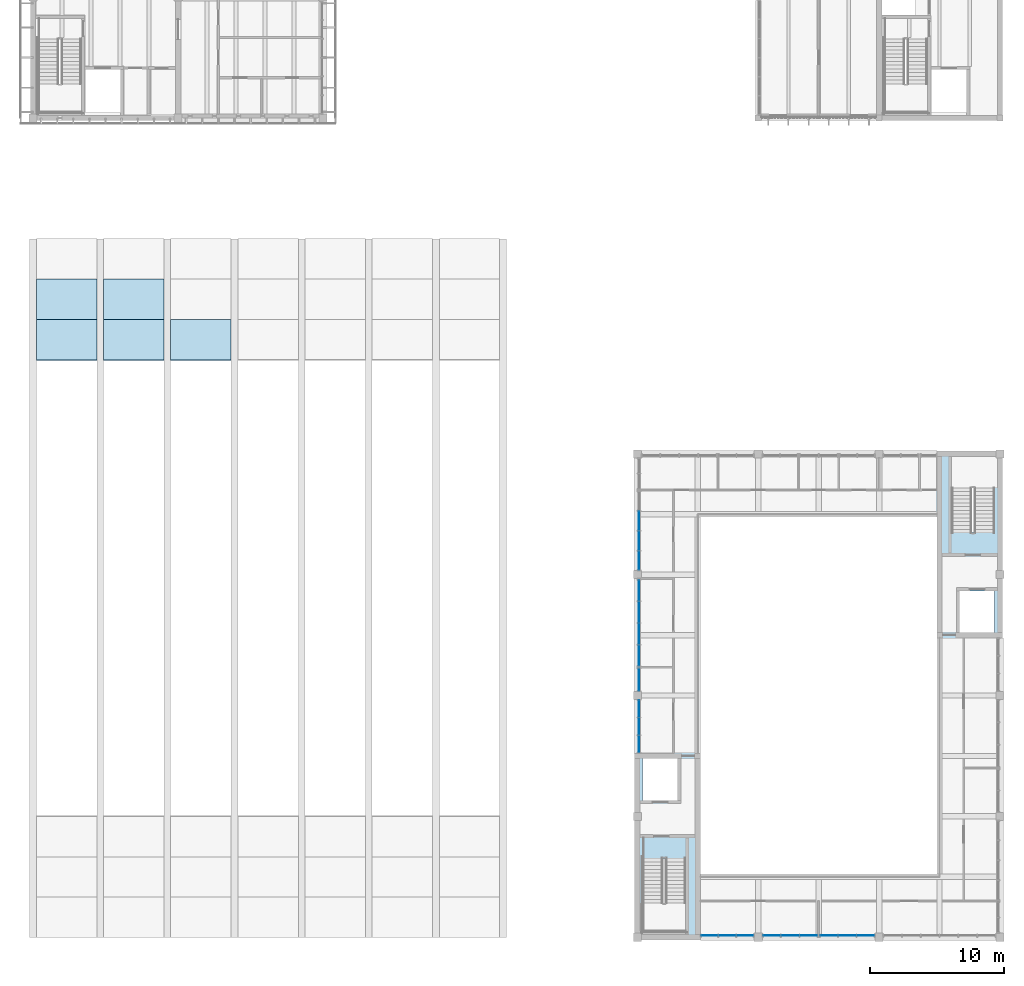
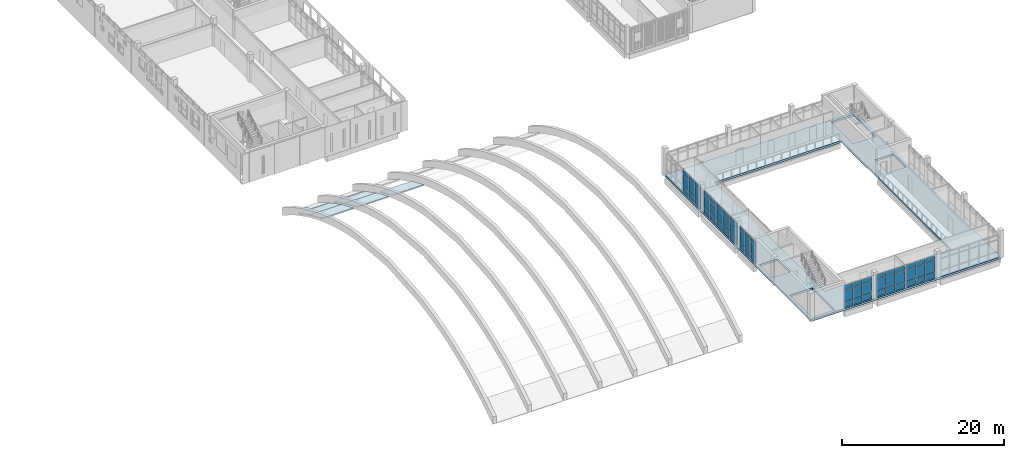
# One storey, part 37 of 88: 60 plates, 6 slabs, 7 elements without a shape of their own.
"""IFC4 building model written with IfcOpenShell, lengths in metres."""

from ifc_helpers import new_model, si_unit, direction, frame, origin, origin_2d, place, context, subcontext, project, spatial, polyline, rectangle, outline, extrude, material, layer, layer_set, type_object, element, aggregate, save


model = new_model("IFC4")

# Units and contexts
model_context = context("Model", 3, precision=1e-05, world=origin(), true_north=direction((0.0, 1.0)))
body_context = subcontext(model_context, "Body", "Model", "MODEL_VIEW")
ifc_project = project(units=[si_unit("LENGTHUNIT", "METRE"), si_unit("AREAUNIT", "SQUARE_METRE"), si_unit("VOLUMEUNIT", "CUBIC_METRE"), si_unit("PLANEANGLEUNIT", "RADIAN"), si_unit("MASSUNIT", "GRAM", prefix="KILO")], contexts=[model_context])

# Site, building, storey
site_placement = place(None, origin())
site = spatial("IfcSite", under=ifc_project, at=site_placement, CompositionType="ELEMENT")
building_placement = place(site_placement, origin())
building = spatial("IfcBuilding", under=site, at=building_placement, Name="Merrow Basin Faculty of Sciences", CompositionType="ELEMENT")
storey_placement = place(building_placement, frame((0.0, 0.0, 9.0)))
storey = spatial("IfcBuildingStorey", under=building, at=storey_placement, Name="L02", CompositionType="ELEMENT", Elevation=9.0)

# Curtain wall, plates
ifc_material_1 = material(Name="Aluminium alloy 6063", Category="aluminium")
curtain_wall_type = type_object("IfcCurtainWallType", Name="Atrium unitised curtain wall 240", PredefinedType="NOTDEFINED", material=ifc_material_1)
curtain_wall_1_placement = place(storey_placement, origin())
curtain_wall_1 = element("IfcCurtainWall", 1, at=curtain_wall_1_placement, inside=storey, type_object=curtain_wall_type, Name="W curtain wall L02 1", PredefinedType="NOTDEFINED")
ifc_material_2 = material(Name="Low-E double glazing", Category="glass")
ifc_layer_1 = layer(ifc_material_2, 0.031982421875)
ifc_layer_set_1 = layer_set([ifc_layer_1], Name="Acoustic double glazed panel 32")
plate_type_1 = type_object("IfcPlateType", Name="Acoustic double glazed panel 32", PredefinedType="CURTAIN_PANEL", material=ifc_layer_set_1)
plate_1_placement = place(storey_placement, frame((45.1201171875, 14.381591796875, 0.93017578125), z_axis=(0.0, 0.0, 1.0), x_axis=(0.0, 1.0, 0.0)))
plate_1 = element("IfcPlate", 2, at=plate_1_placement, type_object=plate_type_1, Name="CW5 panel 1.2", PredefinedType="CURTAIN_PANEL", context=body_context, shape_type="SweptSolid", body=[
    extrude(rectangle(XDim=1.243408203125, YDim=0.031982421875, at=origin_2d()), origin(), (0.0, 0.0, 1.0), 1.739990234375),
])
plate_2_placement = place(storey_placement, frame((45.1201171875, 14.381591796875, 2.72998046875), z_axis=(0.0, 0.0, 1.0), x_axis=(0.0, 1.0, 0.0)))
plate_2 = element("IfcPlate", 3, at=plate_2_placement, type_object=plate_type_1, Name="CW5 panel 1.3", PredefinedType="CURTAIN_PANEL", context=body_context, shape_type="SweptSolid", body=[
    extrude(rectangle(XDim=1.243408203125, YDim=0.031982421875, at=origin_2d()), origin(), (0.0, 0.0, 1.0), 0.610107421875),
])
plate_3_placement = place(storey_placement, frame((45.1201171875, 15.699951171875, 0.93017578125), z_axis=(0.0, 0.0, 1.0), x_axis=(0.0, 1.0, 0.0)))
plate_3 = element("IfcPlate", 4, at=plate_3_placement, type_object=plate_type_1, Name="CW5 panel 2.2", PredefinedType="CURTAIN_PANEL", context=body_context, shape_type="SweptSolid", body=[
    extrude(rectangle(XDim=1.2734375, YDim=0.031982421875, at=origin_2d()), origin(), (0.0, 0.0, 1.0), 1.739990234375),
])
plate_4_placement = place(storey_placement, frame((45.1201171875, 15.699951171875, 2.72998046875), z_axis=(0.0, 0.0, 1.0), x_axis=(0.0, 1.0, 0.0)))
plate_4 = element("IfcPlate", 5, at=plate_4_placement, type_object=plate_type_1, Name="CW5 panel 2.3", PredefinedType="CURTAIN_PANEL", context=body_context, shape_type="SweptSolid", body=[
    extrude(rectangle(XDim=1.2734375, YDim=0.031982421875, at=origin_2d()), origin(), (0.0, 0.0, 1.0), 0.610107421875),
])
plate_5_placement = place(storey_placement, frame((45.1201171875, 17.018310546875, 0.93017578125), z_axis=(0.0, 0.0, 1.0), x_axis=(0.0, 1.0, 0.0)))
plate_5 = element("IfcPlate", 6, at=plate_5_placement, type_object=plate_type_1, Name="CW5 panel 3.2", PredefinedType="CURTAIN_PANEL", context=body_context, shape_type="SweptSolid", body=[
    extrude(rectangle(XDim=1.243408203125, YDim=0.031982421875, at=origin_2d()), origin(), (0.0, 0.0, 1.0), 1.739990234375),
])
plate_6_placement = place(storey_placement, frame((45.1201171875, 17.018310546875, 2.72998046875), z_axis=(0.0, 0.0, 1.0), x_axis=(0.0, 1.0, 0.0)))
plate_6 = element("IfcPlate", 7, at=plate_6_placement, type_object=plate_type_1, Name="CW5 panel 3.3", PredefinedType="CURTAIN_PANEL", context=body_context, shape_type="SweptSolid", body=[
    extrude(rectangle(XDim=1.243408203125, YDim=0.031982421875, at=origin_2d()), origin(), (0.0, 0.0, 1.0), 0.610107421875),
])

curtain_wall_2_placement = place(storey_placement, origin())
curtain_wall_2 = element("IfcCurtainWall", 8, at=curtain_wall_2_placement, inside=storey, type_object=curtain_wall_type, Name="W curtain wall L02 2", PredefinedType="NOTDEFINED")
plate_7_placement = place(storey_placement, frame((45.1201171875, 19.175048828125, 0.93017578125), z_axis=(0.0, 0.0, 1.0), x_axis=(0.0, 1.0, 0.0)))
plate_7 = element("IfcPlate", 9, at=plate_7_placement, type_object=plate_type_1, Name="CW5 panel 1.2", PredefinedType="CURTAIN_PANEL", context=body_context, shape_type="SweptSolid", body=[
    extrude(rectangle(XDim=1.6298828125, YDim=0.031982421875, at=origin_2d()), origin(), (0.0, 0.0, 1.0), 1.739990234375),
])
plate_8_placement = place(storey_placement, frame((45.1201171875, 19.175048828125, 2.72998046875), z_axis=(0.0, 0.0, 1.0), x_axis=(0.0, 1.0, 0.0)))
plate_8 = element("IfcPlate", 10, at=plate_8_placement, type_object=plate_type_1, Name="CW5 panel 1.3", PredefinedType="CURTAIN_PANEL", context=body_context, shape_type="SweptSolid", body=[
    extrude(rectangle(XDim=1.6298828125, YDim=0.031982421875, at=origin_2d()), origin(), (0.0, 0.0, 1.0), 0.610107421875),
])

curtain_wall_3_placement = place(storey_placement, origin())
curtain_wall_3 = element("IfcCurtainWall", 11, at=curtain_wall_3_placement, inside=storey, type_object=curtain_wall_type, Name="W curtain wall L02 3", PredefinedType="NOTDEFINED")
plate_9_placement = place(storey_placement, frame((45.1201171875, 20.9775390625, 0.93017578125), z_axis=(0.0, 0.0, 1.0), x_axis=(0.0, 1.0, 0.0)))
plate_9 = element("IfcPlate", 12, at=plate_9_placement, type_object=plate_type_1, Name="CW5 panel 1.2", PredefinedType="CURTAIN_PANEL", context=body_context, shape_type="SweptSolid", body=[
    extrude(rectangle(XDim=1.534912109375, YDim=0.031982421875, at=origin_2d()), origin(), (0.0, 0.0, 1.0), 1.739990234375),
])
plate_10_placement = place(storey_placement, frame((45.1201171875, 20.9775390625, 2.72998046875), z_axis=(0.0, 0.0, 1.0), x_axis=(0.0, 1.0, 0.0)))
plate_10 = element("IfcPlate", 13, at=plate_10_placement, type_object=plate_type_1, Name="CW5 panel 1.3", PredefinedType="CURTAIN_PANEL", context=body_context, shape_type="SweptSolid", body=[
    extrude(rectangle(XDim=1.534912109375, YDim=0.031982421875, at=origin_2d()), origin(), (0.0, 0.0, 1.0), 0.610107421875),
])
plate_11_placement = place(storey_placement, frame((45.1201171875, 22.58740234375, 0.93017578125), z_axis=(0.0, 0.0, 1.0), x_axis=(0.0, 1.0, 0.0)))
plate_11 = element("IfcPlate", 14, at=plate_11_placement, type_object=plate_type_1, Name="CW5 panel 2.2", PredefinedType="CURTAIN_PANEL", context=body_context, shape_type="SweptSolid", body=[
    extrude(rectangle(XDim=1.56494140625, YDim=0.031982421875, at=origin_2d()), origin(), (0.0, 0.0, 1.0), 1.739990234375),
])
plate_12_placement = place(storey_placement, frame((45.1201171875, 22.58740234375, 2.72998046875), z_axis=(0.0, 0.0, 1.0), x_axis=(0.0, 1.0, 0.0)))
plate_12 = element("IfcPlate", 15, at=plate_12_placement, type_object=plate_type_1, Name="CW5 panel 2.3", PredefinedType="CURTAIN_PANEL", context=body_context, shape_type="SweptSolid", body=[
    extrude(rectangle(XDim=1.56494140625, YDim=0.031982421875, at=origin_2d()), origin(), (0.0, 0.0, 1.0), 0.610107421875),
])
plate_13_placement = place(storey_placement, frame((45.1201171875, 24.21240234375, 0.93017578125), z_axis=(0.0, 0.0, 1.0), x_axis=(0.0, 1.0, 0.0)))
plate_13 = element("IfcPlate", 16, at=plate_13_placement, type_object=plate_type_1, Name="CW5 panel 3.2", PredefinedType="CURTAIN_PANEL", context=body_context, shape_type="SweptSolid", body=[
    extrude(rectangle(XDim=1.56494140625, YDim=0.031982421875, at=origin_2d()), origin(), (0.0, 0.0, 1.0), 1.739990234375),
])
plate_14_placement = place(storey_placement, frame((45.1201171875, 24.21240234375, 2.72998046875), z_axis=(0.0, 0.0, 1.0), x_axis=(0.0, 1.0, 0.0)))
plate_14 = element("IfcPlate", 17, at=plate_14_placement, type_object=plate_type_1, Name="CW5 panel 3.3", PredefinedType="CURTAIN_PANEL", context=body_context, shape_type="SweptSolid", body=[
    extrude(rectangle(XDim=1.56494140625, YDim=0.031982421875, at=origin_2d()), origin(), (0.0, 0.0, 1.0), 0.610107421875),
])
plate_15_placement = place(storey_placement, frame((45.1201171875, 25.822509765625, 0.93017578125), z_axis=(0.0, 0.0, 1.0), x_axis=(0.0, 1.0, 0.0)))
plate_15 = element("IfcPlate", 18, at=plate_15_placement, type_object=plate_type_1, Name="CW5 panel 4.2", PredefinedType="CURTAIN_PANEL", context=body_context, shape_type="SweptSolid", body=[
    extrude(rectangle(XDim=1.534912109375, YDim=0.031982421875, at=origin_2d()), origin(), (0.0, 0.0, 1.0), 1.739990234375),
])
plate_16_placement = place(storey_placement, frame((45.1201171875, 25.822509765625, 2.72998046875), z_axis=(0.0, 0.0, 1.0), x_axis=(0.0, 1.0, 0.0)))
plate_16 = element("IfcPlate", 19, at=plate_16_placement, type_object=plate_type_1, Name="CW5 panel 4.3", PredefinedType="CURTAIN_PANEL", context=body_context, shape_type="SweptSolid", body=[
    extrude(rectangle(XDim=1.534912109375, YDim=0.031982421875, at=origin_2d()), origin(), (0.0, 0.0, 1.0), 0.610107421875),
])

curtain_wall_4_placement = place(storey_placement, origin())
curtain_wall_4 = element("IfcCurtainWall", 20, at=curtain_wall_4_placement, inside=storey, type_object=curtain_wall_type, Name="W curtain wall L02 4", PredefinedType="NOTDEFINED")
plate_17_placement = place(storey_placement, frame((45.1201171875, 28.058837890625, 0.93017578125), z_axis=(0.0, 0.0, 1.0), x_axis=(0.0, 1.0, 0.0)))
plate_17 = element("IfcPlate", 21, at=plate_17_placement, type_object=plate_type_1, Name="CW5 panel 1.2", PredefinedType="CURTAIN_PANEL", context=body_context, shape_type="SweptSolid", body=[
    extrude(rectangle(XDim=1.3974609375, YDim=0.031982421875, at=origin_2d()), origin(), (0.0, 0.0, 1.0), 1.739990234375),
])
plate_18_placement = place(storey_placement, frame((45.1201171875, 28.058837890625, 2.72998046875), z_axis=(0.0, 0.0, 1.0), x_axis=(0.0, 1.0, 0.0)))
plate_18 = element("IfcPlate", 22, at=plate_18_placement, type_object=plate_type_1, Name="CW5 panel 1.3", PredefinedType="CURTAIN_PANEL", context=body_context, shape_type="SweptSolid", body=[
    extrude(rectangle(XDim=1.3974609375, YDim=0.031982421875, at=origin_2d()), origin(), (0.0, 0.0, 1.0), 0.610107421875),
])
plate_19_placement = place(storey_placement, frame((45.1201171875, 29.53125, 0.93017578125), z_axis=(0.0, 0.0, 1.0), x_axis=(0.0, 1.0, 0.0)))
plate_19 = element("IfcPlate", 23, at=plate_19_placement, type_object=plate_type_1, Name="CW5 panel 2.2", PredefinedType="CURTAIN_PANEL", context=body_context, shape_type="SweptSolid", body=[
    extrude(rectangle(XDim=1.427490234375, YDim=0.031982421875, at=origin_2d()), origin(), (0.0, 0.0, 1.0), 1.739990234375),
])
plate_20_placement = place(storey_placement, frame((45.1201171875, 29.53125, 2.72998046875), z_axis=(0.0, 0.0, 1.0), x_axis=(0.0, 1.0, 0.0)))
plate_20 = element("IfcPlate", 24, at=plate_20_placement, type_object=plate_type_1, Name="CW5 panel 2.3", PredefinedType="CURTAIN_PANEL", context=body_context, shape_type="SweptSolid", body=[
    extrude(rectangle(XDim=1.427490234375, YDim=0.031982421875, at=origin_2d()), origin(), (0.0, 0.0, 1.0), 0.610107421875),
])
plate_21_placement = place(storey_placement, frame((45.1201171875, 31.018798828125, 0.93017578125), z_axis=(0.0, 0.0, 1.0), x_axis=(0.0, 1.0, 0.0)))
plate_21 = element("IfcPlate", 25, at=plate_21_placement, type_object=plate_type_1, Name="CW5 panel 3.2", PredefinedType="CURTAIN_PANEL", context=body_context, shape_type="SweptSolid", body=[
    extrude(rectangle(XDim=1.427490234375, YDim=0.031982421875, at=origin_2d()), origin(), (0.0, 0.0, 1.0), 1.739990234375),
])
plate_22_placement = place(storey_placement, frame((45.1201171875, 31.018798828125, 2.72998046875), z_axis=(0.0, 0.0, 1.0), x_axis=(0.0, 1.0, 0.0)))
plate_22 = element("IfcPlate", 26, at=plate_22_placement, type_object=plate_type_1, Name="CW5 panel 3.3", PredefinedType="CURTAIN_PANEL", context=body_context, shape_type="SweptSolid", body=[
    extrude(rectangle(XDim=1.427490234375, YDim=0.031982421875, at=origin_2d()), origin(), (0.0, 0.0, 1.0), 0.610107421875),
])

curtain_wall_5_placement = place(storey_placement, origin())
curtain_wall_5 = element("IfcCurtainWall", 27, at=curtain_wall_5_placement, inside=storey, type_object=curtain_wall_type, Name="S curtain wall L02 1", PredefinedType="NOTDEFINED")
plate_23_placement = place(storey_placement, frame((50.381591796875, 0.1201171875, 0.93017578125), z_axis=(0.0, 0.0, 1.0), x_axis=(1.0, 0.0, 0.0)))
plate_23 = element("IfcPlate", 28, at=plate_23_placement, type_object=plate_type_1, Name="CW5 panel 1.2", PredefinedType="CURTAIN_PANEL", context=body_context, shape_type="SweptSolid", body=[
    extrude(rectangle(XDim=1.243408203125, YDim=0.031982421875, at=origin_2d()), origin(), (0.0, 0.0, 1.0), 1.739990234375),
])
plate_24_placement = place(storey_placement, frame((50.381591796875, 0.1201171875, 2.72998046875), z_axis=(0.0, 0.0, 1.0), x_axis=(1.0, 0.0, 0.0)))
plate_24 = element("IfcPlate", 29, at=plate_24_placement, type_object=plate_type_1, Name="CW5 panel 1.3", PredefinedType="CURTAIN_PANEL", context=body_context, shape_type="SweptSolid", body=[
    extrude(rectangle(XDim=1.243408203125, YDim=0.031982421875, at=origin_2d()), origin(), (0.0, 0.0, 1.0), 0.610107421875),
])
plate_25_placement = place(storey_placement, frame((51.699951171875, 0.1201171875, 0.93017578125), z_axis=(0.0, 0.0, 1.0), x_axis=(1.0, 0.0, 0.0)))
plate_25 = element("IfcPlate", 30, at=plate_25_placement, type_object=plate_type_1, Name="CW5 panel 2.2", PredefinedType="CURTAIN_PANEL", context=body_context, shape_type="SweptSolid", body=[
    extrude(rectangle(XDim=1.2734375, YDim=0.031982421875, at=origin_2d()), origin(), (0.0, 0.0, 1.0), 1.739990234375),
])
plate_26_placement = place(storey_placement, frame((51.699951171875, 0.1201171875, 2.72998046875), z_axis=(0.0, 0.0, 1.0), x_axis=(1.0, 0.0, 0.0)))
plate_26 = element("IfcPlate", 31, at=plate_26_placement, type_object=plate_type_1, Name="CW5 panel 2.3", PredefinedType="CURTAIN_PANEL", context=body_context, shape_type="SweptSolid", body=[
    extrude(rectangle(XDim=1.2734375, YDim=0.031982421875, at=origin_2d()), origin(), (0.0, 0.0, 1.0), 0.610107421875),
])
plate_27_placement = place(storey_placement, frame((53.018310546875, 0.1201171875, 0.93017578125), z_axis=(0.0, 0.0, 1.0), x_axis=(1.0, 0.0, 0.0)))
plate_27 = element("IfcPlate", 32, at=plate_27_placement, type_object=plate_type_1, Name="CW5 panel 3.2", PredefinedType="CURTAIN_PANEL", context=body_context, shape_type="SweptSolid", body=[
    extrude(rectangle(XDim=1.243408203125, YDim=0.031982421875, at=origin_2d()), origin(), (0.0, 0.0, 1.0), 1.739990234375),
])
plate_28_placement = place(storey_placement, frame((53.018310546875, 0.1201171875, 2.72998046875), z_axis=(0.0, 0.0, 1.0), x_axis=(1.0, 0.0, 0.0)))
plate_28 = element("IfcPlate", 33, at=plate_28_placement, type_object=plate_type_1, Name="CW5 panel 3.3", PredefinedType="CURTAIN_PANEL", context=body_context, shape_type="SweptSolid", body=[
    extrude(rectangle(XDim=1.243408203125, YDim=0.031982421875, at=origin_2d()), origin(), (0.0, 0.0, 1.0), 0.610107421875),
])

curtain_wall_6_placement = place(storey_placement, origin())
curtain_wall_6 = element("IfcCurtainWall", 34, at=curtain_wall_6_placement, inside=storey, type_object=curtain_wall_type, Name="S curtain wall L02 2", PredefinedType="NOTDEFINED")
plate_29_placement = place(storey_placement, frame((55.006591796875, 0.1201171875, 0.93017578125), z_axis=(0.0, 0.0, 1.0), x_axis=(1.0, 0.0, 0.0)))
plate_29 = element("IfcPlate", 35, at=plate_29_placement, type_object=plate_type_1, Name="CW5 panel 1.2", PredefinedType="CURTAIN_PANEL", context=body_context, shape_type="SweptSolid", body=[
    extrude(rectangle(XDim=1.293212890625, YDim=0.031982421875, at=origin_2d()), origin(), (0.0, 0.0, 1.0), 1.739990234375),
])
plate_30_placement = place(storey_placement, frame((55.006591796875, 0.1201171875, 2.72998046875), z_axis=(0.0, 0.0, 1.0), x_axis=(1.0, 0.0, 0.0)))
plate_30 = element("IfcPlate", 36, at=plate_30_placement, type_object=plate_type_1, Name="CW5 panel 1.3", PredefinedType="CURTAIN_PANEL", context=body_context, shape_type="SweptSolid", body=[
    extrude(rectangle(XDim=1.293212890625, YDim=0.031982421875, at=origin_2d()), origin(), (0.0, 0.0, 1.0), 0.610107421875),
])
plate_31_placement = place(storey_placement, frame((56.375, 0.1201171875, 0.93017578125), z_axis=(0.0, 0.0, 1.0), x_axis=(1.0, 0.0, 0.0)))
plate_31 = element("IfcPlate", 37, at=plate_31_placement, type_object=plate_type_1, Name="CW5 panel 2.2", PredefinedType="CURTAIN_PANEL", context=body_context, shape_type="SweptSolid", body=[
    extrude(rectangle(XDim=1.3232421875, YDim=0.031982421875, at=origin_2d()), origin(), (0.0, 0.0, 1.0), 1.739990234375),
])
plate_32_placement = place(storey_placement, frame((56.375, 0.1201171875, 2.72998046875), z_axis=(0.0, 0.0, 1.0), x_axis=(1.0, 0.0, 0.0)))
plate_32 = element("IfcPlate", 38, at=plate_32_placement, type_object=plate_type_1, Name="CW5 panel 2.3", PredefinedType="CURTAIN_PANEL", context=body_context, shape_type="SweptSolid", body=[
    extrude(rectangle(XDim=1.3232421875, YDim=0.031982421875, at=origin_2d()), origin(), (0.0, 0.0, 1.0), 0.610107421875),
])
plate_33_placement = place(storey_placement, frame((57.743408203125, 0.1201171875, 0.93017578125), z_axis=(0.0, 0.0, 1.0), x_axis=(1.0, 0.0, 0.0)))
plate_33 = element("IfcPlate", 39, at=plate_33_placement, type_object=plate_type_1, Name="CW5 panel 3.2", PredefinedType="CURTAIN_PANEL", context=body_context, shape_type="SweptSolid", body=[
    extrude(rectangle(XDim=1.293212890625, YDim=0.031982421875, at=origin_2d()), origin(), (0.0, 0.0, 1.0), 1.739990234375),
])
plate_34_placement = place(storey_placement, frame((57.743408203125, 0.1201171875, 2.72998046875), z_axis=(0.0, 0.0, 1.0), x_axis=(1.0, 0.0, 0.0)))
plate_34 = element("IfcPlate", 40, at=plate_34_placement, type_object=plate_type_1, Name="CW5 panel 3.3", PredefinedType="CURTAIN_PANEL", context=body_context, shape_type="SweptSolid", body=[
    extrude(rectangle(XDim=1.293212890625, YDim=0.031982421875, at=origin_2d()), origin(), (0.0, 0.0, 1.0), 0.610107421875),
])

curtain_wall_7_placement = place(storey_placement, origin())
curtain_wall_7 = element("IfcCurtainWall", 41, at=curtain_wall_7_placement, inside=storey, type_object=curtain_wall_type, Name="S curtain wall L02 3", PredefinedType="NOTDEFINED")
plate_35_placement = place(storey_placement, frame((59.256591796875, 0.1201171875, 0.93017578125), z_axis=(0.0, 0.0, 1.0), x_axis=(1.0, 0.0, 0.0)))
plate_35 = element("IfcPlate", 42, at=plate_35_placement, type_object=plate_type_1, Name="CW5 panel 1.2", PredefinedType="CURTAIN_PANEL", context=body_context, shape_type="SweptSolid", body=[
    extrude(rectangle(XDim=1.293212890625, YDim=0.031982421875, at=origin_2d()), origin(), (0.0, 0.0, 1.0), 1.739990234375),
])
plate_36_placement = place(storey_placement, frame((59.256591796875, 0.1201171875, 2.72998046875), z_axis=(0.0, 0.0, 1.0), x_axis=(1.0, 0.0, 0.0)))
plate_36 = element("IfcPlate", 43, at=plate_36_placement, type_object=plate_type_1, Name="CW5 panel 1.3", PredefinedType="CURTAIN_PANEL", context=body_context, shape_type="SweptSolid", body=[
    extrude(rectangle(XDim=1.293212890625, YDim=0.031982421875, at=origin_2d()), origin(), (0.0, 0.0, 1.0), 0.610107421875),
])
plate_37_placement = place(storey_placement, frame((60.625, 0.1201171875, 0.93017578125), z_axis=(0.0, 0.0, 1.0), x_axis=(1.0, 0.0, 0.0)))
plate_37 = element("IfcPlate", 44, at=plate_37_placement, type_object=plate_type_1, Name="CW5 panel 2.2", PredefinedType="CURTAIN_PANEL", context=body_context, shape_type="SweptSolid", body=[
    extrude(rectangle(XDim=1.3232421875, YDim=0.031982421875, at=origin_2d()), origin(), (0.0, 0.0, 1.0), 1.739990234375),
])
plate_38_placement = place(storey_placement, frame((60.625, 0.1201171875, 2.72998046875), z_axis=(0.0, 0.0, 1.0), x_axis=(1.0, 0.0, 0.0)))
plate_38 = element("IfcPlate", 45, at=plate_38_placement, type_object=plate_type_1, Name="CW5 panel 2.3", PredefinedType="CURTAIN_PANEL", context=body_context, shape_type="SweptSolid", body=[
    extrude(rectangle(XDim=1.3232421875, YDim=0.031982421875, at=origin_2d()), origin(), (0.0, 0.0, 1.0), 0.610107421875),
])
plate_39_placement = place(storey_placement, frame((61.993408203125, 0.1201171875, 0.93017578125), z_axis=(0.0, 0.0, 1.0), x_axis=(1.0, 0.0, 0.0)))
plate_39 = element("IfcPlate", 46, at=plate_39_placement, type_object=plate_type_1, Name="CW5 panel 3.2", PredefinedType="CURTAIN_PANEL", context=body_context, shape_type="SweptSolid", body=[
    extrude(rectangle(XDim=1.293212890625, YDim=0.031982421875, at=origin_2d()), origin(), (0.0, 0.0, 1.0), 1.739990234375),
])
plate_40_placement = place(storey_placement, frame((61.993408203125, 0.1201171875, 2.72998046875), z_axis=(0.0, 0.0, 1.0), x_axis=(1.0, 0.0, 0.0)))
plate_40 = element("IfcPlate", 47, at=plate_40_placement, type_object=plate_type_1, Name="CW5 panel 3.3", PredefinedType="CURTAIN_PANEL", context=body_context, shape_type="SweptSolid", body=[
    extrude(rectangle(XDim=1.293212890625, YDim=0.031982421875, at=origin_2d()), origin(), (0.0, 0.0, 1.0), 0.610107421875),
])

# Slab
ifc_material_3 = material(Name="Concrete C40/50", Category="concrete")
ifc_layer_2 = layer(ifc_material_3, 0.300048828125)
ifc_layer_set_2 = layer_set([ifc_layer_2], Name="Floor slab 300 Concrete C40/50")
slab_type_1 = type_object("IfcSlabType", Name="Floor slab 300 Concrete C40/50", PredefinedType="FLOOR", material=ifc_layer_set_2)
slab_1_placement = place(storey_placement, frame((0.0, 0.0, -0.300048828125)))
element("IfcSlab", 48, at=slab_1_placement, inside=storey, type_object=slab_type_1, Name="SL11 floor L02 001", PredefinedType="FLOOR", context=body_context, shape_type="SweptSolid", body=[
    extrude(outline(polyline([(72.0, 0.0), (45.0, 0.0), (45.0, 36.0), (72.0, 36.0), (72.0, 0.0)]), holes=[polyline([(71.60009765625, 25.800048828125), (69.0, 25.800048828125), (69.0, 22.60009765625), (71.60009765625, 22.60009765625), (71.60009765625, 25.800048828125)]), polyline([(71.60009765625, 35.60009765625), (68.39990234375, 35.60009765625), (68.39990234375, 30.14990234375), (71.60009765625, 30.14990234375), (71.60009765625, 35.60009765625)]), polyline([(67.5, 4.5), (67.5, 31.5), (49.5, 31.5), (49.5, 4.5), (67.5, 4.5)]), polyline([(48.60009765625, 5.85009765625), (45.39990234375, 5.85009765625), (45.39990234375, 0.39990234375), (48.60009765625, 0.39990234375), (48.60009765625, 5.85009765625)]), polyline([(48.0, 13.39990234375), (45.39990234375, 13.39990234375), (45.39990234375, 10.199951171875), (48.0, 10.199951171875), (48.0, 13.39990234375)])]), origin(), (0.0, 0.0, 1.0), 0.300048828125),
])

# Plate
ifc_material_4 = material(Name="Insulated aluminium spandrel panel", Category="aluminium")
ifc_layer_3 = layer(ifc_material_4, 0.052001953125)
ifc_layer_set_3 = layer_set([ifc_layer_3], Name="Insulated spandrel panel 52")
plate_type_2 = type_object("IfcPlateType", Name="Insulated spandrel panel 52", PredefinedType="CURTAIN_PANEL", material=ifc_layer_set_3)
plate_41_placement = place(storey_placement, frame((45.1201171875, 14.381591796875, 0.06005859375), z_axis=(0.0, 0.0, 1.0), x_axis=(0.0, 1.0, 0.0)))
plate_41 = element("IfcPlate", 49, at=plate_41_placement, type_object=plate_type_2, Name="CW5 panel 1.1", PredefinedType="CURTAIN_PANEL", context=body_context, shape_type="SweptSolid", body=[
    extrude(rectangle(XDim=1.243408203125, YDim=0.052001953125, at=origin_2d()), origin(), (0.0, 0.0, 1.0), 0.81005859375),
])

plate_42_placement = place(storey_placement, frame((45.1201171875, 15.699951171875, 0.06005859375), z_axis=(0.0, 0.0, 1.0), x_axis=(0.0, 1.0, 0.0)))
plate_42 = element("IfcPlate", 50, at=plate_42_placement, type_object=plate_type_2, Name="CW5 panel 2.1", PredefinedType="CURTAIN_PANEL", context=body_context, shape_type="SweptSolid", body=[
    extrude(rectangle(XDim=1.2734375, YDim=0.052001953125, at=origin_2d()), origin(), (0.0, 0.0, 1.0), 0.81005859375),
])

plate_43_placement = place(storey_placement, frame((45.1201171875, 17.018310546875, 0.06005859375), z_axis=(0.0, 0.0, 1.0), x_axis=(0.0, 1.0, 0.0)))
plate_43 = element("IfcPlate", 51, at=plate_43_placement, type_object=plate_type_2, Name="CW5 panel 3.1", PredefinedType="CURTAIN_PANEL", context=body_context, shape_type="SweptSolid", body=[
    extrude(rectangle(XDim=1.243408203125, YDim=0.052001953125, at=origin_2d()), origin(), (0.0, 0.0, 1.0), 0.81005859375),
])

aggregate(curtain_wall_1, [plate_41, plate_1, plate_2, plate_42, plate_3, plate_4, plate_43, plate_5, plate_6])

plate_44_placement = place(storey_placement, frame((45.1201171875, 19.175048828125, 0.06005859375), z_axis=(0.0, 0.0, 1.0), x_axis=(0.0, 1.0, 0.0)))
plate_44 = element("IfcPlate", 52, at=plate_44_placement, type_object=plate_type_2, Name="CW5 panel 1.1", PredefinedType="CURTAIN_PANEL", context=body_context, shape_type="SweptSolid", body=[
    extrude(rectangle(XDim=1.6298828125, YDim=0.052001953125, at=origin_2d()), origin(), (0.0, 0.0, 1.0), 0.81005859375),
])

aggregate(curtain_wall_2, [plate_44, plate_7, plate_8])

plate_45_placement = place(storey_placement, frame((45.1201171875, 20.9775390625, 0.06005859375), z_axis=(0.0, 0.0, 1.0), x_axis=(0.0, 1.0, 0.0)))
plate_45 = element("IfcPlate", 53, at=plate_45_placement, type_object=plate_type_2, Name="CW5 panel 1.1", PredefinedType="CURTAIN_PANEL", context=body_context, shape_type="SweptSolid", body=[
    extrude(rectangle(XDim=1.534912109375, YDim=0.052001953125, at=origin_2d()), origin(), (0.0, 0.0, 1.0), 0.81005859375),
])

plate_46_placement = place(storey_placement, frame((45.1201171875, 22.58740234375, 0.06005859375), z_axis=(0.0, 0.0, 1.0), x_axis=(0.0, 1.0, 0.0)))
plate_46 = element("IfcPlate", 54, at=plate_46_placement, type_object=plate_type_2, Name="CW5 panel 2.1", PredefinedType="CURTAIN_PANEL", context=body_context, shape_type="SweptSolid", body=[
    extrude(rectangle(XDim=1.56494140625, YDim=0.052001953125, at=origin_2d()), origin(), (0.0, 0.0, 1.0), 0.81005859375),
])

plate_47_placement = place(storey_placement, frame((45.1201171875, 24.21240234375, 0.06005859375), z_axis=(0.0, 0.0, 1.0), x_axis=(0.0, 1.0, 0.0)))
plate_47 = element("IfcPlate", 55, at=plate_47_placement, type_object=plate_type_2, Name="CW5 panel 3.1", PredefinedType="CURTAIN_PANEL", context=body_context, shape_type="SweptSolid", body=[
    extrude(rectangle(XDim=1.56494140625, YDim=0.052001953125, at=origin_2d()), origin(), (0.0, 0.0, 1.0), 0.81005859375),
])

plate_48_placement = place(storey_placement, frame((45.1201171875, 25.822509765625, 0.06005859375), z_axis=(0.0, 0.0, 1.0), x_axis=(0.0, 1.0, 0.0)))
plate_48 = element("IfcPlate", 56, at=plate_48_placement, type_object=plate_type_2, Name="CW5 panel 4.1", PredefinedType="CURTAIN_PANEL", context=body_context, shape_type="SweptSolid", body=[
    extrude(rectangle(XDim=1.534912109375, YDim=0.052001953125, at=origin_2d()), origin(), (0.0, 0.0, 1.0), 0.81005859375),
])

aggregate(curtain_wall_3, [plate_45, plate_9, plate_10, plate_46, plate_11, plate_12, plate_47, plate_13, plate_14, plate_48, plate_15, plate_16])

plate_49_placement = place(storey_placement, frame((45.1201171875, 28.058837890625, 0.06005859375), z_axis=(0.0, 0.0, 1.0), x_axis=(0.0, 1.0, 0.0)))
plate_49 = element("IfcPlate", 57, at=plate_49_placement, type_object=plate_type_2, Name="CW5 panel 1.1", PredefinedType="CURTAIN_PANEL", context=body_context, shape_type="SweptSolid", body=[
    extrude(rectangle(XDim=1.3974609375, YDim=0.052001953125, at=origin_2d()), origin(), (0.0, 0.0, 1.0), 0.81005859375),
])

plate_50_placement = place(storey_placement, frame((45.1201171875, 29.53125, 0.06005859375), z_axis=(0.0, 0.0, 1.0), x_axis=(0.0, 1.0, 0.0)))
plate_50 = element("IfcPlate", 58, at=plate_50_placement, type_object=plate_type_2, Name="CW5 panel 2.1", PredefinedType="CURTAIN_PANEL", context=body_context, shape_type="SweptSolid", body=[
    extrude(rectangle(XDim=1.427490234375, YDim=0.052001953125, at=origin_2d()), origin(), (0.0, 0.0, 1.0), 0.81005859375),
])

plate_51_placement = place(storey_placement, frame((45.1201171875, 31.018798828125, 0.06005859375), z_axis=(0.0, 0.0, 1.0), x_axis=(0.0, 1.0, 0.0)))
plate_51 = element("IfcPlate", 59, at=plate_51_placement, type_object=plate_type_2, Name="CW5 panel 3.1", PredefinedType="CURTAIN_PANEL", context=body_context, shape_type="SweptSolid", body=[
    extrude(rectangle(XDim=1.427490234375, YDim=0.052001953125, at=origin_2d()), origin(), (0.0, 0.0, 1.0), 0.81005859375),
])

aggregate(curtain_wall_4, [plate_49, plate_17, plate_18, plate_50, plate_19, plate_20, plate_51, plate_21, plate_22])

plate_52_placement = place(storey_placement, frame((50.381591796875, 0.1201171875, 0.06005859375), z_axis=(0.0, 0.0, 1.0), x_axis=(1.0, 0.0, 0.0)))
plate_52 = element("IfcPlate", 60, at=plate_52_placement, type_object=plate_type_2, Name="CW5 panel 1.1", PredefinedType="CURTAIN_PANEL", context=body_context, shape_type="SweptSolid", body=[
    extrude(rectangle(XDim=1.243408203125, YDim=0.052001953125, at=origin_2d()), origin(), (0.0, 0.0, 1.0), 0.81005859375),
])

plate_53_placement = place(storey_placement, frame((51.699951171875, 0.1201171875, 0.06005859375), z_axis=(0.0, 0.0, 1.0), x_axis=(1.0, 0.0, 0.0)))
plate_53 = element("IfcPlate", 61, at=plate_53_placement, type_object=plate_type_2, Name="CW5 panel 2.1", PredefinedType="CURTAIN_PANEL", context=body_context, shape_type="SweptSolid", body=[
    extrude(rectangle(XDim=1.2734375, YDim=0.052001953125, at=origin_2d()), origin(), (0.0, 0.0, 1.0), 0.81005859375),
])

plate_54_placement = place(storey_placement, frame((53.018310546875, 0.1201171875, 0.06005859375), z_axis=(0.0, 0.0, 1.0), x_axis=(1.0, 0.0, 0.0)))
plate_54 = element("IfcPlate", 62, at=plate_54_placement, type_object=plate_type_2, Name="CW5 panel 3.1", PredefinedType="CURTAIN_PANEL", context=body_context, shape_type="SweptSolid", body=[
    extrude(rectangle(XDim=1.243408203125, YDim=0.052001953125, at=origin_2d()), origin(), (0.0, 0.0, 1.0), 0.81005859375),
])

aggregate(curtain_wall_5, [plate_52, plate_23, plate_24, plate_53, plate_25, plate_26, plate_54, plate_27, plate_28])

plate_55_placement = place(storey_placement, frame((55.006591796875, 0.1201171875, 0.06005859375), z_axis=(0.0, 0.0, 1.0), x_axis=(1.0, 0.0, 0.0)))
plate_55 = element("IfcPlate", 63, at=plate_55_placement, type_object=plate_type_2, Name="CW5 panel 1.1", PredefinedType="CURTAIN_PANEL", context=body_context, shape_type="SweptSolid", body=[
    extrude(rectangle(XDim=1.293212890625, YDim=0.052001953125, at=origin_2d()), origin(), (0.0, 0.0, 1.0), 0.81005859375),
])

plate_56_placement = place(storey_placement, frame((56.375, 0.1201171875, 0.06005859375), z_axis=(0.0, 0.0, 1.0), x_axis=(1.0, 0.0, 0.0)))
plate_56 = element("IfcPlate", 64, at=plate_56_placement, type_object=plate_type_2, Name="CW5 panel 2.1", PredefinedType="CURTAIN_PANEL", context=body_context, shape_type="SweptSolid", body=[
    extrude(rectangle(XDim=1.3232421875, YDim=0.052001953125, at=origin_2d()), origin(), (0.0, 0.0, 1.0), 0.81005859375),
])

plate_57_placement = place(storey_placement, frame((57.743408203125, 0.1201171875, 0.06005859375), z_axis=(0.0, 0.0, 1.0), x_axis=(1.0, 0.0, 0.0)))
plate_57 = element("IfcPlate", 65, at=plate_57_placement, type_object=plate_type_2, Name="CW5 panel 3.1", PredefinedType="CURTAIN_PANEL", context=body_context, shape_type="SweptSolid", body=[
    extrude(rectangle(XDim=1.293212890625, YDim=0.052001953125, at=origin_2d()), origin(), (0.0, 0.0, 1.0), 0.81005859375),
])

aggregate(curtain_wall_6, [plate_55, plate_29, plate_30, plate_56, plate_31, plate_32, plate_57, plate_33, plate_34])

plate_58_placement = place(storey_placement, frame((59.256591796875, 0.1201171875, 0.06005859375), z_axis=(0.0, 0.0, 1.0), x_axis=(1.0, 0.0, 0.0)))
plate_58 = element("IfcPlate", 66, at=plate_58_placement, type_object=plate_type_2, Name="CW5 panel 1.1", PredefinedType="CURTAIN_PANEL", context=body_context, shape_type="SweptSolid", body=[
    extrude(rectangle(XDim=1.293212890625, YDim=0.052001953125, at=origin_2d()), origin(), (0.0, 0.0, 1.0), 0.81005859375),
])

plate_59_placement = place(storey_placement, frame((60.625, 0.1201171875, 0.06005859375), z_axis=(0.0, 0.0, 1.0), x_axis=(1.0, 0.0, 0.0)))
plate_59 = element("IfcPlate", 67, at=plate_59_placement, type_object=plate_type_2, Name="CW5 panel 2.1", PredefinedType="CURTAIN_PANEL", context=body_context, shape_type="SweptSolid", body=[
    extrude(rectangle(XDim=1.3232421875, YDim=0.052001953125, at=origin_2d()), origin(), (0.0, 0.0, 1.0), 0.81005859375),
])

plate_60_placement = place(storey_placement, frame((61.993408203125, 0.1201171875, 0.06005859375), z_axis=(0.0, 0.0, 1.0), x_axis=(1.0, 0.0, 0.0)))
plate_60 = element("IfcPlate", 68, at=plate_60_placement, type_object=plate_type_2, Name="CW5 panel 3.1", PredefinedType="CURTAIN_PANEL", context=body_context, shape_type="SweptSolid", body=[
    extrude(rectangle(XDim=1.293212890625, YDim=0.052001953125, at=origin_2d()), origin(), (0.0, 0.0, 1.0), 0.81005859375),
])

aggregate(curtain_wall_7, [plate_58, plate_35, plate_36, plate_59, plate_37, plate_38, plate_60, plate_39, plate_40])

# Slabs
ifc_material_5 = material(Name="Concrete C50/60", Category="concrete")
ifc_layer_4 = layer(ifc_material_5, 0.14990234375)
ifc_layer_set_4 = layer_set([ifc_layer_4], Name="Shell strip 150 Concrete C50/60")
slab_type_2 = type_object("IfcSlabType", Name="Shell strip 150 Concrete C50/60", PredefinedType="ROOF", material=ifc_layer_set_4)
slab_2_placement = place(storey_placement, frame((0.25, 43.0, 4.86962890625), z_axis=(0.0, 0.398938938724, 0.916977493273), x_axis=(1.0, 0.0, 0.0)))
element("IfcSlab", 69, at=slab_2_placement, inside=storey, type_object=slab_type_2, Name="Shell strip 1.12", PredefinedType="ROOF", context=body_context, shape_type="SweptSolid", body=[
    extrude(outline(polyline([(0.0, 0.0), (4.5, 0.0), (4.5, 3.271617920840016), (0.0, 3.271617920840016), (0.0, 0.0)])), origin(), (0.0, 0.0, -1.0), 0.14990234375),
])
slab_3_placement = place(storey_placement, frame((0.25, 46.0, 3.564453125), z_axis=(0.0, 0.46369174099, 0.885996596685), x_axis=(1.0, 0.0, 0.0)))
element("IfcSlab", 70, at=slab_3_placement, inside=storey, type_object=slab_type_2, Name="Shell strip 1.13", PredefinedType="ROOF", context=body_context, shape_type="SweptSolid", body=[
    extrude(outline(polyline([(0.0, 0.0), (4.5, 0.0), (4.5, 3.3860175210873473), (0.0, 3.3860175210873473), (0.0, 0.0)])), origin(), (0.0, 0.0, -1.0), 0.14990234375),
])
slab_4_placement = place(storey_placement, frame((5.25, 43.0, 4.86962890625), z_axis=(0.0, 0.398938938724, 0.916977493273), x_axis=(1.0, 0.0, 0.0)))
element("IfcSlab", 71, at=slab_4_placement, inside=storey, type_object=slab_type_2, Name="Shell strip 2.12", PredefinedType="ROOF", context=body_context, shape_type="SweptSolid", body=[
    extrude(outline(polyline([(0.0, 0.0), (4.5, 0.0), (4.5, 3.271617920840016), (0.0, 3.271617920840016), (0.0, 0.0)])), origin(), (0.0, 0.0, -1.0), 0.14990234375),
])
slab_5_placement = place(storey_placement, frame((5.25, 46.0, 3.564453125), z_axis=(0.0, 0.46369174099, 0.885996596685), x_axis=(1.0, 0.0, 0.0)))
element("IfcSlab", 72, at=slab_5_placement, inside=storey, type_object=slab_type_2, Name="Shell strip 2.13", PredefinedType="ROOF", context=body_context, shape_type="SweptSolid", body=[
    extrude(outline(polyline([(0.0, 0.0), (4.5, 0.0), (4.5, 3.3860175210873473), (0.0, 3.3860175210873473), (0.0, 0.0)])), origin(), (0.0, 0.0, -1.0), 0.14990234375),
])
slab_6_placement = place(storey_placement, frame((10.25, 43.0, 4.86962890625), z_axis=(0.0, 0.398938938724, 0.916977493273), x_axis=(1.0, 0.0, 0.0)))
element("IfcSlab", 73, at=slab_6_placement, inside=storey, type_object=slab_type_2, Name="Shell strip 3.12", PredefinedType="ROOF", context=body_context, shape_type="SweptSolid", body=[
    extrude(outline(polyline([(0.0, 0.0), (4.5, 0.0), (4.5, 3.271617920840016), (0.0, 3.271617920840016), (0.0, 0.0)])), origin(), (0.0, 0.0, -1.0), 0.14990234375),
])

save(model, "model.ifc")
